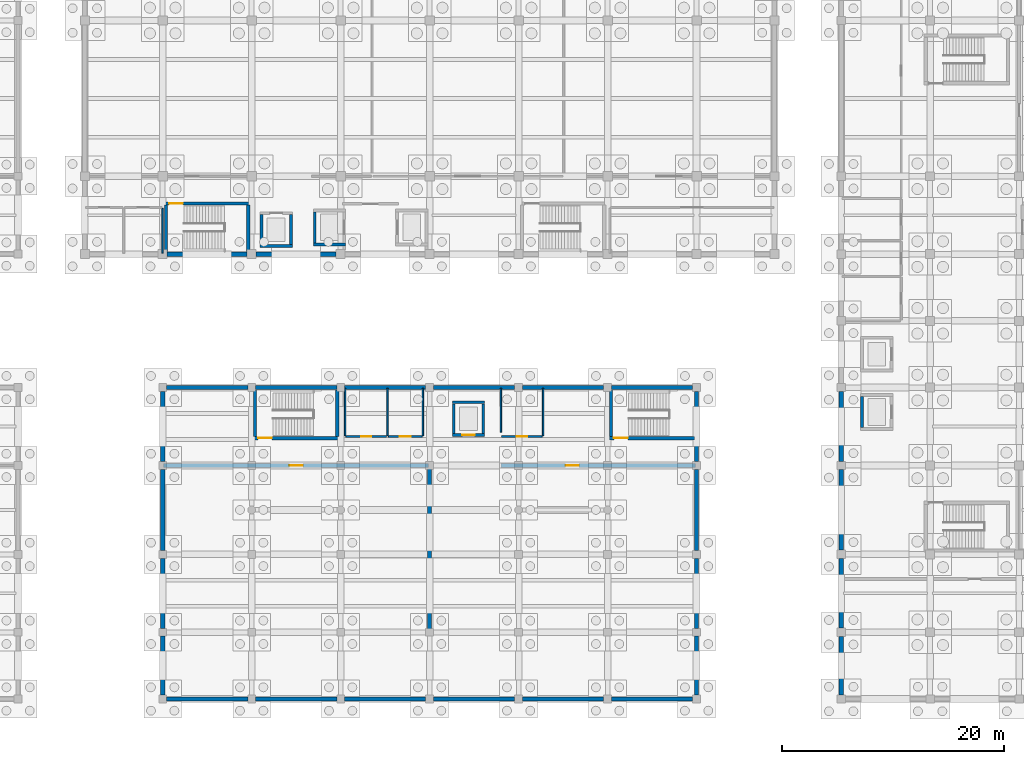
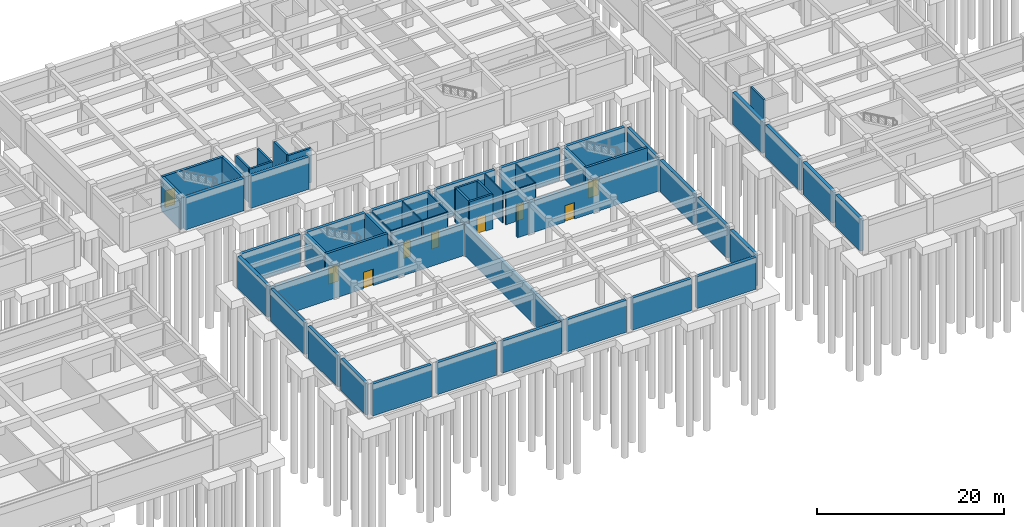
# One storey, part 17 of 28: 56 walls, 9 doors, 9 openings.
"""IFC4 building model written with IfcOpenShell, lengths in metres."""

from ifc_helpers import new_model, si_unit, direction, frame, frame_2d, origin, place, context, subcontext, project, spatial, rectangle, extrude, material, layer, layer_set, type_object, element, fill, save


model = new_model("IFC4")

# Units and contexts
model_context = context("Model", 3, precision=1e-05, world=origin(), true_north=direction((0.0, 1.0)))
body_context = subcontext(model_context, "Body", "Model", "MODEL_VIEW")
ifc_project = project(units=[si_unit("LENGTHUNIT", "METRE"), si_unit("AREAUNIT", "SQUARE_METRE"), si_unit("VOLUMEUNIT", "CUBIC_METRE"), si_unit("PLANEANGLEUNIT", "RADIAN"), si_unit("MASSUNIT", "GRAM", prefix="KILO")], contexts=[model_context])

# Site, building, storey
site_placement = place(None, origin())
site = spatial("IfcSite", under=ifc_project, at=site_placement, CompositionType="ELEMENT")
building_placement = place(site_placement, origin())
building = spatial("IfcBuilding", under=site, at=building_placement, Name="Naurynzar Civic Courthouse", CompositionType="ELEMENT")
storey_placement = place(building_placement, frame((0.0, 0.0, -4.5)))
storey = spatial("IfcBuildingStorey", under=building, at=storey_placement, Name="B01", CompositionType="ELEMENT", Elevation=-4.5)

# Wall, opening, door
ifc_material_1 = material(Name="Concrete C40/50", Category="concrete")
ifc_layer_1 = layer(ifc_material_1, 0.300048828125)
ifc_layer_set_1 = layer_set([ifc_layer_1], Name="WL-CORE-300")
wall_type_1 = type_object("IfcWallType", Name="WL-CORE-300", PredefinedType="SHEAR", material=ifc_layer_set_1)
wall_1_placement = place(storey_placement, frame((76.85009765625, 48.550048828125, 0.0), z_axis=(0.0, 0.0, 1.0), x_axis=(-1.0, 0.0, 0.0)))
wall_1 = element("IfcWall", 1, at=wall_1_placement, inside=storey, type_object=wall_type_1, Name="Stair ST-V2A enclosure wall north B01", PredefinedType="SHEAR", context=body_context, shape_type="SweptSolid", body=[
    extrude(rectangle(XDim=7.7001953125, YDim=0.300048828125, at=frame_2d((3.85009765625, 0.0))), origin(), (0.0, 0.0, 1.0), 4.199951171875),
])
opening_1_placement = place(wall_1_placement, frame((6.02490234375, 0.0, 0.0)))
opening_1 = element("IfcOpeningElement", 2, at=opening_1_placement, cuts=wall_1, Name="Opening SD-023", PredefinedType="OPENING", context=body_context, shape_type="SweptSolid", body=[
    extrude(rectangle(XDim=1.25, YDim=2.14990234375, at=frame_2d((0.625, 1.074951171875))), frame((0.0, 0.159912109375, 0.0), z_axis=(0.0, -1.0, 0.0), x_axis=(1.0, 0.0, 0.0)), (0.0, 0.0, 1.0), 0.320068359375),
])
ifc_material_2 = material(Name="Powder-Coated Galvanised Steel", Category="steel")
door_type_1 = type_object("IfcDoorType", Name="DR-STAIR-1250x2150", OperationType="NOTDEFINED", PredefinedType="DOOR", material=ifc_material_2)
door_1_placement = place(opening_1_placement, origin())
door_1 = element("IfcDoor", 3, at=door_1_placement, inside=storey, type_object=door_type_1, Name="Stair ST-V2A fire door B01", OperationType="SINGLE_SWING_LEFT", OverallHeight=2.14990234375, OverallWidth=1.25, PredefinedType="DOOR", context=body_context, shape_type="SweptSolid", body=[
    extrude(rectangle(XDim=1.25, YDim=2.14990234375, at=frame_2d((0.625, 1.074951171875))), frame((0.0, 0.02490234375, 0.0), z_axis=(0.0, -1.0, 0.0), x_axis=(1.0, 0.0, 0.0)), (0.0, 0.0, 1.0), 0.050048828125),
])
fill(opening_1, door_1)

# Walls
for number, where, z_axis, x_axis, name in (
    (4, (69.300048828125, 48.39501953125, 0.0), (0.0, 0.0, 1.0), (0.0, -1.0, 0.0), "Stair ST-V2A enclosure wall west B01"),
    (5, (76.699951171875, 44.205078125, 0.0), (0.0, 0.0, 1.0), (0.0, 1.0, 0.0), "Stair ST-V2A enclosure wall east B01"),
):
    element("IfcWall", number, at=place(storey_placement, frame(where, z_axis=z_axis, x_axis=x_axis)), inside=storey, type_object=wall_type_1, Name=name, PredefinedType="SHEAR", context=body_context, shape_type="SweptSolid", body=[
        extrude(rectangle(XDim=4.18994140625, YDim=0.300048828125, at=frame_2d((2.094970703125, 0.0))), origin(), (0.0, 0.0, 1.0), 4.199951171875),
    ])

# Wall, opening, door
wall_2_placement = place(storey_placement, frame((77.14990234375, 27.449951171875, 0.0), z_axis=(0.0, 0.0, 1.0), x_axis=(1.0, 0.0, 0.0)))
wall_2 = element("IfcWall", 6, at=wall_2_placement, inside=storey, type_object=wall_type_1, Name="Stair ST-V3A enclosure wall south B01", PredefinedType="SHEAR", context=body_context, shape_type="SweptSolid", body=[
    extrude(rectangle(XDim=7.7001953125, YDim=0.300048828125, at=frame_2d((3.85009765625, 0.0))), origin(), (0.0, 0.0, 1.0), 4.159912109375),
])
opening_2_placement = place(wall_2_placement, frame((0.425048828125, 0.0, 0.0)))
opening_2 = element("IfcOpeningElement", 7, at=opening_2_placement, cuts=wall_2, Name="Opening SD-045", PredefinedType="OPENING", context=body_context, shape_type="SweptSolid", body=[
    extrude(rectangle(XDim=1.25, YDim=2.14990234375, at=frame_2d((0.625, 1.074951171875))), frame((0.0, 0.159912109375, 0.0), z_axis=(0.0, -1.0, 0.0), x_axis=(1.0, 0.0, 0.0)), (0.0, 0.0, 1.0), 0.320068359375),
])
door_2_placement = place(opening_2_placement, origin())
door_2 = element("IfcDoor", 8, at=door_2_placement, inside=storey, type_object=door_type_1, Name="Stair ST-V3A fire door B01", OperationType="SINGLE_SWING_LEFT", OverallHeight=2.14990234375, OverallWidth=1.25, PredefinedType="DOOR", context=body_context, shape_type="SweptSolid", body=[
    extrude(rectangle(XDim=1.25, YDim=2.14990234375, at=frame_2d((0.625, 1.074951171875))), frame((0.0, 0.02490234375, 0.0), z_axis=(0.0, -1.0, 0.0), x_axis=(1.0, 0.0, 0.0)), (0.0, 0.0, 1.0), 0.050048828125),
])
fill(opening_2, door_2)

# Walls
for number, where, z_axis, x_axis, name in (
    (9, (77.300048828125, 31.794921875, 0.0), (0.0, 0.0, 1.0), (0.0, -1.0, 0.0), "Stair ST-V3A enclosure wall west B01"),
    (10, (84.699951171875, 27.60498046875, 0.0), (0.0, 0.0, 1.0), (0.0, 1.0, 0.0), "Stair ST-V3A enclosure wall east B01"),
):
    element("IfcWall", number, at=place(storey_placement, frame(where, z_axis=z_axis, x_axis=x_axis)), inside=storey, type_object=wall_type_1, Name=name, PredefinedType="SHEAR", context=body_context, shape_type="SweptSolid", body=[
        extrude(rectangle(XDim=4.18994140625, YDim=0.300048828125, at=frame_2d((2.094970703125, 0.0))), origin(), (0.0, 0.0, 1.0), 4.159912109375),
    ])

# Wall, opening, door
wall_3_placement = place(storey_placement, frame((109.14990234375, 27.449951171875, 0.0), z_axis=(0.0, 0.0, 1.0), x_axis=(1.0, 0.0, 0.0)))
wall_3 = element("IfcWall", 11, at=wall_3_placement, inside=storey, type_object=wall_type_1, Name="Stair ST-V3B enclosure wall south B01", PredefinedType="SHEAR", context=body_context, shape_type="SweptSolid", body=[
    extrude(rectangle(XDim=7.64501953125, YDim=0.300048828125, at=frame_2d((3.822509765625, 0.0))), origin(), (0.0, 0.0, 1.0), 4.159912109375),
])
opening_3_placement = place(wall_3_placement, frame((0.425048828125, 0.0, 0.0)))
opening_3 = element("IfcOpeningElement", 12, at=opening_3_placement, cuts=wall_3, Name="Opening SD-052", PredefinedType="OPENING", context=body_context, shape_type="SweptSolid", body=[
    extrude(rectangle(XDim=1.25, YDim=2.14990234375, at=frame_2d((0.625, 1.074951171875))), frame((0.0, 0.159912109375, 0.0), z_axis=(0.0, -1.0, 0.0), x_axis=(1.0, 0.0, 0.0)), (0.0, 0.0, 1.0), 0.320068359375),
])
door_3_placement = place(opening_3_placement, origin())
door_3 = element("IfcDoor", 13, at=door_3_placement, inside=storey, type_object=door_type_1, Name="Stair ST-V3B fire door B01", OperationType="SINGLE_SWING_RIGHT", OverallHeight=2.14990234375, OverallWidth=1.25, PredefinedType="DOOR", context=body_context, shape_type="SweptSolid", body=[
    extrude(rectangle(XDim=1.25, YDim=2.14990234375, at=frame_2d((0.625, 1.074951171875))), frame((0.0, 0.02490234375, 0.0), z_axis=(0.0, -1.0, 0.0), x_axis=(1.0, 0.0, 0.0)), (0.0, 0.0, 1.0), 0.050048828125),
])
fill(opening_3, door_3)

# Wall
wall_4_placement = place(storey_placement, frame((109.300048828125, 31.794921875, 0.0), z_axis=(0.0, 0.0, 1.0), x_axis=(0.0, -1.0, 0.0)))
element("IfcWall", 14, at=wall_4_placement, inside=storey, type_object=wall_type_1, Name="Stair ST-V3B enclosure wall west B01", PredefinedType="SHEAR", context=body_context, shape_type="SweptSolid", body=[
    extrude(rectangle(XDim=4.18994140625, YDim=0.300048828125, at=frame_2d((2.094970703125, 0.0))), origin(), (0.0, 0.0, 1.0), 4.159912109375),
])

# Wall, opening, door
ifc_material_3 = material(Name="Concrete C40/50", Category="concrete")
ifc_layer_2 = layer(ifc_material_3, 0.35009765625)
ifc_layer_set_2 = layer_set([ifc_layer_2], Name="WL-CORE-350")
wall_type_2 = type_object("IfcWallType", Name="WL-CORE-350", PredefinedType="SHEAR", material=ifc_layer_set_2)
wall_5_placement = place(storey_placement, frame((69.080078125, 25.0, 0.0), z_axis=(0.0, 0.0, 1.0), x_axis=(1.0, 0.0, 0.0)))
wall_5 = element("IfcWall", 15, at=wall_5_placement, inside=storey, type_object=wall_type_2, Name="V3 interior partition B01.9", PredefinedType="SHEAR", context=body_context, shape_type="SweptSolid", body=[
    extrude(rectangle(XDim=23.83984375, YDim=0.35009765625, at=frame_2d((11.919921875, 0.0))), origin(), (0.0, 0.0, 1.0), 4.139892578125),
])
opening_4_placement = place(wall_5_placement, frame((11.320068359375, 0.0, 0.0)))
opening_4 = element("IfcOpeningElement", 16, at=opening_4_placement, cuts=wall_5, Name="Opening D-222", PredefinedType="OPENING", context=body_context, shape_type="SweptSolid", body=[
    extrude(rectangle(XDim=1.199951171875, YDim=2.14990234375, at=frame_2d((0.60009765625, 1.074951171875))), frame((0.0, 0.18505859375, 0.0), z_axis=(0.0, -1.0, 0.0), x_axis=(1.0, 0.0, 0.0)), (0.0, 0.0, 1.0), 0.3701171875),
])
ifc_material_4 = material(Name="Powder-Coated Galvanised Steel", Category="steel")
door_type_2 = type_object("IfcDoorType", Name="DR-ARCH-1200x2150", OperationType="NOTDEFINED", PredefinedType="DOOR", material=ifc_material_4)
door_4_placement = place(opening_4_placement, origin())
door_4 = element("IfcDoor", 17, at=door_4_placement, inside=storey, type_object=door_type_2, Name="Interior door D-222 (Rare Legal Compendia Vault)", OperationType="SINGLE_SWING_RIGHT", OverallHeight=2.14990234375, OverallWidth=1.199951171875, PredefinedType="DOOR", context=body_context, shape_type="SweptSolid", body=[
    extrude(rectangle(XDim=1.199951171875, YDim=2.14990234375, at=frame_2d((0.60009765625, 1.074951171875))), frame((0.0, 0.02490234375, 0.0), z_axis=(0.0, -1.0, 0.0), x_axis=(1.0, 0.0, 0.0)), (0.0, 0.0, 1.0), 0.050048828125),
])
fill(opening_4, door_4)

wall_6_placement = place(storey_placement, frame((99.39990234375, 25.0, 0.0), z_axis=(0.0, 0.0, 1.0), x_axis=(1.0, 0.0, 0.0)))
wall_6 = element("IfcWall", 18, at=wall_6_placement, inside=storey, type_object=wall_type_2, Name="V3 interior partition B01.10", PredefinedType="SHEAR", context=body_context, shape_type="SweptSolid", body=[
    extrude(rectangle(XDim=17.52001953125, YDim=0.35009765625, at=frame_2d((8.760009765625, 0.0))), origin(), (0.0, 0.0, 1.0), 4.139892578125),
])
opening_5_placement = place(wall_6_placement, frame((5.81689453125, 0.0, 0.0)))
opening_5 = element("IfcOpeningElement", 19, at=opening_5_placement, cuts=wall_6, Name="Opening D-223", PredefinedType="OPENING", context=body_context, shape_type="SweptSolid", body=[
    extrude(rectangle(XDim=1.199951171875, YDim=2.14990234375, at=frame_2d((0.60009765625, 1.074951171875))), frame((0.0, 0.18505859375, 0.0), z_axis=(0.0, -1.0, 0.0), x_axis=(1.0, 0.0, 0.0)), (0.0, 0.0, 1.0), 0.3701171875),
])
door_5_placement = place(opening_5_placement, origin())
door_5 = element("IfcDoor", 20, at=door_5_placement, inside=storey, type_object=door_type_2, Name="Interior door D-223 (Law Library Book Stacks Compact Archive)", OperationType="SINGLE_SWING_LEFT", OverallHeight=2.14990234375, OverallWidth=1.199951171875, PredefinedType="DOOR", context=body_context, shape_type="SweptSolid", body=[
    extrude(rectangle(XDim=1.199951171875, YDim=2.14990234375, at=frame_2d((0.60009765625, 1.074951171875))), frame((0.0, 0.02490234375, 0.0), z_axis=(0.0, -1.0, 0.0), x_axis=(1.0, 0.0, 0.0)), (0.0, 0.0, 1.0), 0.050048828125),
])
fill(opening_5, door_5)

# Wall
wall_7_placement = place(storey_placement, frame((93.0, 4.080078125, 0.0), z_axis=(0.0, 0.0, 1.0), x_axis=(0.0, 1.0, 0.0)))
element("IfcWall", 21, at=wall_7_placement, inside=storey, type_object=wall_type_2, Name="V3 interior partition B01.56", PredefinedType="SHEAR", context=body_context, shape_type="SweptSolid", body=[
    extrude(rectangle(XDim=20.83984375, YDim=0.35009765625, at=frame_2d((10.419921875, 0.0))), origin(), (0.0, 0.0, 1.0), 4.139892578125),
])

# Wall, opening, door
ifc_material_5 = material(Name="Moisture-Resistant Plumbing Partition")
ifc_layer_3 = layer(ifc_material_5, 0.139892578125)
ifc_layer_set_3 = layer_set([ifc_layer_3], Name="WL-PART-WC-140")
wall_type_3 = type_object("IfcWallType", Name="WL-PART-WC-140", PredefinedType="PLUMBINGWALL", material=ifc_layer_set_3)
wall_8_placement = place(storey_placement, frame((85.47998046875, 27.60009765625, 0.0), z_axis=(0.0, 0.0, 1.0), x_axis=(1.0, 0.0, 0.0)))
wall_8 = element("IfcWall", 22, at=wall_8_placement, inside=storey, type_object=wall_type_3, Name="V3 interior partition B01.14", PredefinedType="PLUMBINGWALL", context=body_context, shape_type="SweptSolid", body=[
    extrude(rectangle(XDim=3.64013671875, YDim=0.139892578125, at=frame_2d((1.820068359375, 0.0))), origin(), (0.0, 0.0, 1.0), 4.139892578125),
])
opening_6_placement = place(wall_8_placement, frame((1.360107421875, 0.0, 0.0)))
opening_6 = element("IfcOpeningElement", 23, at=opening_6_placement, cuts=wall_8, Name="Opening D-219", PredefinedType="OPENING", context=body_context, shape_type="SweptSolid", body=[
    extrude(rectangle(XDim=0.919921875, YDim=2.10009765625, at=frame_2d((0.4599609375, 1.050048828125))), frame((0.0, 0.079833984375, 0.0), z_axis=(0.0, -1.0, 0.0), x_axis=(1.0, 0.0, 0.0)), (0.0, 0.0, 1.0), 0.159912109375),
])
ifc_material_6 = material(Name="Acoustic Oak Timber Grade A", Category="wood")
door_type_3 = type_object("IfcDoorType", Name="DR-WC-STD-920x2100", OperationType="NOTDEFINED", PredefinedType="DOOR", material=ifc_material_6)
door_6_placement = place(opening_6_placement, origin())
door_6 = element("IfcDoor", 24, at=door_6_placement, inside=storey, type_object=door_type_3, Name="Interior door D-219 (Public WC V3)", OperationType="SINGLE_SWING_LEFT", OverallHeight=2.10009765625, OverallWidth=0.919921875, PredefinedType="DOOR", context=body_context, shape_type="SweptSolid", body=[
    extrude(rectangle(XDim=0.919921875, YDim=2.10009765625, at=frame_2d((0.4599609375, 1.050048828125))), frame((0.0, 0.02490234375, 0.0), z_axis=(0.0, -1.0, 0.0), x_axis=(1.0, 0.0, 0.0)), (0.0, 0.0, 1.0), 0.050048828125),
])
fill(opening_6, door_6)

wall_9_placement = place(storey_placement, frame((89.280029296875, 27.60009765625, 0.0), z_axis=(0.0, 0.0, 1.0), x_axis=(1.0, 0.0, 0.0)))
wall_9 = element("IfcWall", 25, at=wall_9_placement, inside=storey, type_object=wall_type_3, Name="V3 interior partition B01.15", PredefinedType="PLUMBINGWALL", context=body_context, shape_type="SweptSolid", body=[
    extrude(rectangle(XDim=3.0400390625, YDim=0.139892578125, at=frame_2d((1.52001953125, 0.0))), origin(), (0.0, 0.0, 1.0), 4.139892578125),
])
opening_7_placement = place(wall_9_placement, frame((1.0400390625, 0.0, 0.0)))
opening_7 = element("IfcOpeningElement", 26, at=opening_7_placement, cuts=wall_9, Name="Opening D-220", PredefinedType="OPENING", context=body_context, shape_type="SweptSolid", body=[
    extrude(rectangle(XDim=0.9599609375, YDim=2.10009765625, at=frame_2d((0.47998046875, 1.050048828125))), frame((0.0, 0.079833984375, 0.0), z_axis=(0.0, -1.0, 0.0), x_axis=(1.0, 0.0, 0.0)), (0.0, 0.0, 1.0), 0.159912109375),
])
ifc_material_7 = material(Name="Acoustic Oak Timber Grade A", Category="wood")
door_type_4 = type_object("IfcDoorType", Name="DR-WC-ACC-960x2100", OperationType="NOTDEFINED", PredefinedType="DOOR", material=ifc_material_7)
door_7_placement = place(opening_7_placement, origin())
door_7 = element("IfcDoor", 27, at=door_7_placement, inside=storey, type_object=door_type_4, Name="Interior door D-220 (Accessible WC V3)", OperationType="SINGLE_SWING_RIGHT", OverallHeight=2.10009765625, OverallWidth=0.9599609375, PredefinedType="DOOR", context=body_context, shape_type="SweptSolid", body=[
    extrude(rectangle(XDim=0.9599609375, YDim=2.10009765625, at=frame_2d((0.47998046875, 1.050048828125))), frame((0.0, 0.02490234375, 0.0), z_axis=(0.0, -1.0, 0.0), x_axis=(1.0, 0.0, 0.0)), (0.0, 0.0, 1.0), 0.050048828125),
])
fill(opening_7, door_7)

wall_10_placement = place(storey_placement, frame((99.47998046875, 27.60009765625, 0.0), z_axis=(0.0, 0.0, 1.0), x_axis=(1.0, 0.0, 0.0)))
wall_10 = element("IfcWall", 28, at=wall_10_placement, inside=storey, type_object=wall_type_3, Name="V3 interior partition B01.16", PredefinedType="PLUMBINGWALL", context=body_context, shape_type="SweptSolid", body=[
    extrude(rectangle(XDim=3.64013671875, YDim=0.139892578125, at=frame_2d((1.820068359375, 0.0))), origin(), (0.0, 0.0, 1.0), 4.139892578125),
])
opening_8_placement = place(wall_10_placement, frame((1.360107421875, 0.0, 0.0)))
opening_8 = element("IfcOpeningElement", 29, at=opening_8_placement, cuts=wall_10, Name="Opening D-221", PredefinedType="OPENING", context=body_context, shape_type="SweptSolid", body=[
    extrude(rectangle(XDim=0.919921875, YDim=2.10009765625, at=frame_2d((0.4599609375, 1.050048828125))), frame((0.0, 0.079833984375, 0.0), z_axis=(0.0, -1.0, 0.0), x_axis=(1.0, 0.0, 0.0)), (0.0, 0.0, 1.0), 0.159912109375),
])
door_8_placement = place(opening_8_placement, origin())
door_8 = element("IfcDoor", 30, at=door_8_placement, inside=storey, type_object=door_type_3, Name="Interior door D-221 (Staff WC V3)", OperationType="SINGLE_SWING_LEFT", OverallHeight=2.10009765625, OverallWidth=0.919921875, PredefinedType="DOOR", context=body_context, shape_type="SweptSolid", body=[
    extrude(rectangle(XDim=0.919921875, YDim=2.10009765625, at=frame_2d((0.4599609375, 1.050048828125))), frame((0.0, 0.02490234375, 0.0), z_axis=(0.0, -1.0, 0.0), x_axis=(1.0, 0.0, 0.0)), (0.0, 0.0, 1.0), 0.050048828125),
])
fill(opening_8, door_8)

# Walls
wall_11_placement = place(storey_placement, frame((69.0, 44.080078125, 0.0), z_axis=(0.0, 0.0, 1.0), x_axis=(0.0, 1.0, 0.0)))
element("IfcWall", 31, at=wall_11_placement, inside=storey, type_object=wall_type_3, Name="V2 interior partition B01.51", PredefinedType="PLUMBINGWALL", context=body_context, shape_type="SweptSolid", body=[
    extrude(rectangle(XDim=4.0400390625, YDim=0.139892578125, at=frame_2d((2.02001953125, 0.0))), origin(), (0.0, 0.0, 1.0), 3.5),
])
for number, where, z_axis, x_axis, name in (
    (32, (85.39990234375, 27.679931640625, 0.0), (0.0, 0.0, 1.0), (0.0, 1.0, 0.0), "V3 interior partition B01.52"),
    (33, (89.199951171875, 27.679931640625, 0.0), (0.0, 0.0, 1.0), (0.0, 1.0, 0.0), "V3 interior partition B01.54"),
    (34, (92.39990234375, 27.679931640625, 0.0), (0.0, 0.0, 1.0), (0.0, 1.0, 0.0), "V3 interior partition B01.55"),
):
    element("IfcWall", number, at=place(storey_placement, frame(where, z_axis=z_axis, x_axis=x_axis)), inside=storey, type_object=wall_type_3, Name=name, PredefinedType="PLUMBINGWALL", context=body_context, shape_type="SweptSolid", body=[
        extrude(rectangle(XDim=4.239990234375, YDim=0.139892578125, at=frame_2d((2.1201171875, 0.0))), origin(), (0.0, 0.0, 1.0), 4.139892578125),
    ])
wall_12_placement = place(storey_placement, frame((99.39990234375, 28.0, 0.0), z_axis=(0.0, 0.0, 1.0), x_axis=(0.0, 1.0, 0.0)))
element("IfcWall", 35, at=wall_12_placement, inside=storey, type_object=wall_type_3, Name="V3 interior partition B01.57", PredefinedType="PLUMBINGWALL", context=body_context, shape_type="SweptSolid", body=[
    extrude(rectangle(XDim=3.919921875, YDim=0.139892578125, at=frame_2d((1.9599609375, 0.0))), origin(), (0.0, 0.0, 1.0), 4.139892578125),
])
wall_13_placement = place(storey_placement, frame((103.199951171875, 27.679931640625, 0.0), z_axis=(0.0, 0.0, 1.0), x_axis=(0.0, 1.0, 0.0)))
element("IfcWall", 36, at=wall_13_placement, inside=storey, type_object=wall_type_3, Name="V3 interior partition B01.58", PredefinedType="PLUMBINGWALL", context=body_context, shape_type="SweptSolid", body=[
    extrude(rectangle(XDim=4.239990234375, YDim=0.139892578125, at=frame_2d((2.1201171875, 0.0))), origin(), (0.0, 0.0, 1.0), 4.139892578125),
])
ifc_material_8 = material(Name="Concrete C40/50", Category="concrete")
ifc_layer_4 = layer(ifc_material_8, 0.3798828125)
ifc_layer_set_4 = layer_set([ifc_layer_4], Name="WL-RET-380")
wall_type_4 = type_object("IfcWallType", Name="WL-RET-380", PredefinedType="STANDARD", material=ifc_layer_set_4)
wall_14_placement = place(storey_placement, frame((69.0, 4.35009765625, 0.0), z_axis=(0.0, 0.0, 1.0), x_axis=(0.0, 1.0, 0.0)))
element("IfcWall", 37, at=wall_14_placement, inside=storey, type_object=wall_type_4, Name="V3 basement retaining wall west 1", PredefinedType="STANDARD", context=body_context, shape_type="SweptSolid", body=[
    extrude(rectangle(XDim=5.2998046875, YDim=0.3798828125, at=frame_2d((2.64990234375, 0.0))), origin(), (0.0, 0.0, 1.0), 4.159912109375),
])
wall_15_placement = place(storey_placement, frame((69.0, 10.35009765625, 0.0), z_axis=(0.0, 0.0, 1.0), x_axis=(0.0, 1.0, 0.0)))
element("IfcWall", 38, at=wall_15_placement, inside=storey, type_object=wall_type_4, Name="V3 basement retaining wall west 2", PredefinedType="STANDARD", context=body_context, shape_type="SweptSolid", body=[
    extrude(rectangle(XDim=6.2998046875, YDim=0.3798828125, at=frame_2d((3.14990234375, 0.0))), origin(), (0.0, 0.0, 1.0), 4.159912109375),
])
wall_16_placement = place(storey_placement, frame((69.0, 17.35009765625, 0.0), z_axis=(0.0, 0.0, 1.0), x_axis=(0.0, 1.0, 0.0)))
element("IfcWall", 39, at=wall_16_placement, inside=storey, type_object=wall_type_4, Name="V3 basement retaining wall west 3", PredefinedType="STANDARD", context=body_context, shape_type="SweptSolid", body=[
    extrude(rectangle(XDim=7.2998046875, YDim=0.3798828125, at=frame_2d((3.64990234375, 0.0))), origin(), (0.0, 0.0, 1.0), 4.159912109375),
])
wall_17_placement = place(storey_placement, frame((69.0, 25.35009765625, 0.0), z_axis=(0.0, 0.0, 1.0), x_axis=(0.0, 1.0, 0.0)))
element("IfcWall", 40, at=wall_17_placement, inside=storey, type_object=wall_type_4, Name="V3 basement retaining wall west 4", PredefinedType="STANDARD", context=body_context, shape_type="SweptSolid", body=[
    extrude(rectangle(XDim=6.2998046875, YDim=0.3798828125, at=frame_2d((3.14990234375, 0.0))), origin(), (0.0, 0.0, 1.0), 4.159912109375),
])
for number, where, z_axis, x_axis, name in (
    (41, (69.35009765625, 32.0, 0.0), (0.0, 0.0, 1.0), (1.0, 0.0, 0.0), "V3 basement retaining wall north 1"),
    (42, (77.35009765625, 32.0, 0.0), (0.0, 0.0, 1.0), (1.0, 0.0, 0.0), "V3 basement retaining wall north 2"),
    (43, (85.35009765625, 32.0, 0.0), (0.0, 0.0, 1.0), (1.0, 0.0, 0.0), "V3 basement retaining wall north 3"),
    (44, (93.35009765625, 32.0, 0.0), (0.0, 0.0, 1.0), (1.0, 0.0, 0.0), "V3 basement retaining wall north 4"),
    (45, (101.35009765625, 32.0, 0.0), (0.0, 0.0, 1.0), (1.0, 0.0, 0.0), "V3 basement retaining wall north 5"),
    (46, (109.35009765625, 32.0, 0.0), (0.0, 0.0, 1.0), (1.0, 0.0, 0.0), "V3 basement retaining wall north 6"),
):
    element("IfcWall", number, at=place(storey_placement, frame(where, z_axis=z_axis, x_axis=x_axis)), inside=storey, type_object=wall_type_4, Name=name, PredefinedType="STANDARD", context=body_context, shape_type="SweptSolid", body=[
        extrude(rectangle(XDim=7.2998046875, YDim=0.3798828125, at=frame_2d((3.64990234375, 0.0))), origin(), (0.0, 0.0, 1.0), 4.159912109375),
    ])
wall_18_placement = place(storey_placement, frame((117.0, 31.64990234375, 0.0), z_axis=(0.0, 0.0, 1.0), x_axis=(0.0, -1.0, 0.0)))
element("IfcWall", 47, at=wall_18_placement, inside=storey, type_object=wall_type_4, Name="V3 basement retaining wall east 1", PredefinedType="STANDARD", context=body_context, shape_type="SweptSolid", body=[
    extrude(rectangle(XDim=6.2998046875, YDim=0.3798828125, at=frame_2d((3.14990234375, 0.0))), origin(), (0.0, 0.0, 1.0), 4.159912109375),
])
wall_19_placement = place(storey_placement, frame((117.0, 24.64990234375, 0.0), z_axis=(0.0, 0.0, 1.0), x_axis=(0.0, -1.0, 0.0)))
element("IfcWall", 48, at=wall_19_placement, inside=storey, type_object=wall_type_4, Name="V3 basement retaining wall east 2", PredefinedType="STANDARD", context=body_context, shape_type="SweptSolid", body=[
    extrude(rectangle(XDim=7.2998046875, YDim=0.3798828125, at=frame_2d((3.64990234375, 0.0))), origin(), (0.0, 0.0, 1.0), 4.159912109375),
])
wall_20_placement = place(storey_placement, frame((117.0, 16.64990234375, 0.0), z_axis=(0.0, 0.0, 1.0), x_axis=(0.0, -1.0, 0.0)))
element("IfcWall", 49, at=wall_20_placement, inside=storey, type_object=wall_type_4, Name="V3 basement retaining wall east 3", PredefinedType="STANDARD", context=body_context, shape_type="SweptSolid", body=[
    extrude(rectangle(XDim=6.2998046875, YDim=0.3798828125, at=frame_2d((3.14990234375, 0.0))), origin(), (0.0, 0.0, 1.0), 4.159912109375),
])
wall_21_placement = place(storey_placement, frame((117.0, 9.64990234375, 0.0), z_axis=(0.0, 0.0, 1.0), x_axis=(0.0, -1.0, 0.0)))
element("IfcWall", 50, at=wall_21_placement, inside=storey, type_object=wall_type_4, Name="V3 basement retaining wall east 4", PredefinedType="STANDARD", context=body_context, shape_type="SweptSolid", body=[
    extrude(rectangle(XDim=5.2998046875, YDim=0.3798828125, at=frame_2d((2.64990234375, 0.0))), origin(), (0.0, 0.0, 1.0), 4.159912109375),
])
for number, where, z_axis, x_axis, name in (
    (51, (116.64990234375, 4.0, 0.0), (0.0, 0.0, 1.0), (-1.0, 0.0, 0.0), "V3 basement retaining wall south 1"),
    (52, (108.64990234375, 4.0, 0.0), (0.0, 0.0, 1.0), (-1.0, 0.0, 0.0), "V3 basement retaining wall south 2"),
    (53, (100.64990234375, 4.0, 0.0), (0.0, 0.0, 1.0), (-1.0, 0.0, 0.0), "V3 basement retaining wall south 3"),
    (54, (92.64990234375, 4.0, 0.0), (0.0, 0.0, 1.0), (-1.0, 0.0, 0.0), "V3 basement retaining wall south 4"),
    (55, (84.64990234375, 4.0, 0.0), (0.0, 0.0, 1.0), (-1.0, 0.0, 0.0), "V3 basement retaining wall south 5"),
    (56, (76.64990234375, 4.0, 0.0), (0.0, 0.0, 1.0), (-1.0, 0.0, 0.0), "V3 basement retaining wall south 6"),
):
    element("IfcWall", number, at=place(storey_placement, frame(where, z_axis=z_axis, x_axis=x_axis)), inside=storey, type_object=wall_type_4, Name=name, PredefinedType="STANDARD", context=body_context, shape_type="SweptSolid", body=[
        extrude(rectangle(XDim=7.2998046875, YDim=0.3798828125, at=frame_2d((3.64990234375, 0.0))), origin(), (0.0, 0.0, 1.0), 4.159912109375),
    ])
ifc_material_9 = material(Name="Concrete C40/50", Category="concrete")
ifc_layer_5 = layer(ifc_material_9, 0.39990234375)
ifc_layer_set_5 = layer_set([ifc_layer_5], Name="WL-RET-400")
wall_type_5 = type_object("IfcWallType", Name="WL-RET-400", PredefinedType="STANDARD", material=ifc_layer_set_5)
for number, where, z_axis, x_axis, name in (
    (57, (84.60009765625, 44.0, 0.0), (0.0, 0.0, 1.0), (-1.0, 0.0, 0.0), "V2 basement retaining wall south 6"),
    (58, (76.60009765625, 44.0, 0.0), (0.0, 0.0, 1.0), (-1.0, 0.0, 0.0), "V2 basement retaining wall south 7"),
):
    element("IfcWall", number, at=place(storey_placement, frame(where, z_axis=z_axis, x_axis=x_axis)), inside=storey, type_object=wall_type_5, Name=name, PredefinedType="STANDARD", context=body_context, shape_type="SweptSolid", body=[
        extrude(rectangle(XDim=7.2001953125, YDim=0.39990234375, at=frame_2d((3.60009765625, 0.0))), origin(), (0.0, 0.0, 1.0), 4.199951171875),
    ])
wall_22_placement = place(storey_placement, frame((130.0, 4.375, 0.0), z_axis=(0.0, 0.0, 1.0), x_axis=(0.0, 1.0, 0.0)))
element("IfcWall", 59, at=wall_22_placement, inside=storey, type_object=wall_type_5, Name="V5 basement retaining wall west 1", PredefinedType="STANDARD", context=body_context, shape_type="SweptSolid", body=[
    extrude(rectangle(XDim=5.25, YDim=0.39990234375, at=frame_2d((2.625, 0.0))), origin(), (0.0, 0.0, 1.0), 4.199951171875),
])
wall_23_placement = place(storey_placement, frame((130.0, 10.375, 0.0), z_axis=(0.0, 0.0, 1.0), x_axis=(0.0, 1.0, 0.0)))
element("IfcWall", 60, at=wall_23_placement, inside=storey, type_object=wall_type_5, Name="V5 basement retaining wall west 2", PredefinedType="STANDARD", context=body_context, shape_type="SweptSolid", body=[
    extrude(rectangle(XDim=6.25, YDim=0.39990234375, at=frame_2d((3.125, 0.0))), origin(), (0.0, 0.0, 1.0), 4.199951171875),
])
wall_24_placement = place(storey_placement, frame((130.0, 17.375, 0.0), z_axis=(0.0, 0.0, 1.0), x_axis=(0.0, 1.0, 0.0)))
element("IfcWall", 61, at=wall_24_placement, inside=storey, type_object=wall_type_5, Name="V5 basement retaining wall west 3", PredefinedType="STANDARD", context=body_context, shape_type="SweptSolid", body=[
    extrude(rectangle(XDim=7.25, YDim=0.39990234375, at=frame_2d((3.625, 0.0))), origin(), (0.0, 0.0, 1.0), 4.199951171875),
])
wall_25_placement = place(storey_placement, frame((130.0, 25.375, 0.0), z_axis=(0.0, 0.0, 1.0), x_axis=(0.0, 1.0, 0.0)))
element("IfcWall", 62, at=wall_25_placement, inside=storey, type_object=wall_type_5, Name="V5 basement retaining wall west 4", PredefinedType="STANDARD", context=body_context, shape_type="SweptSolid", body=[
    extrude(rectangle(XDim=6.25, YDim=0.39990234375, at=frame_2d((3.125, 0.0))), origin(), (0.0, 0.0, 1.0), 4.199951171875),
])
ifc_material_10 = material(Name="Concrete C40/50", Category="concrete")
ifc_layer_6 = layer(ifc_material_10, 0.25)
ifc_layer_set_6 = layer_set([ifc_layer_6], Name="WL-SHAFT-250")
wall_type_6 = type_object("IfcWallType", Name="WL-SHAFT-250", PredefinedType="SHEAR", material=ifc_layer_set_6)
wall_26_placement = place(storey_placement, frame((77.75, 44.72509765625, 0.0), z_axis=(0.0, 0.0, 1.0), x_axis=(1.0, 0.0, 0.0)))
element("IfcWall", 63, at=wall_26_placement, inside=storey, type_object=wall_type_6, Name="Lift LP-03 shaft wall south B01", PredefinedType="SHEAR", context=body_context, shape_type="SweptSolid", body=[
    extrude(rectangle(XDim=2.89990234375, YDim=0.25, at=frame_2d((1.449951171875, 0.0))), origin(), (0.0, 0.0, 1.0), 4.5),
])
for number, where, z_axis, x_axis, name in (
    (64, (77.875, 47.544921875, 0.0), (0.0, 0.0, 1.0), (0.0, -1.0, 0.0), "Lift LP-03 shaft wall west B01"),
    (65, (80.52490234375, 44.85498046875, 0.0), (0.0, 0.0, 1.0), (0.0, 1.0, 0.0), "Lift LP-03 shaft wall east B01"),
):
    element("IfcWall", number, at=place(storey_placement, frame(where, z_axis=z_axis, x_axis=x_axis)), inside=storey, type_object=wall_type_6, Name=name, PredefinedType="SHEAR", context=body_context, shape_type="SweptSolid", body=[
        extrude(rectangle(XDim=2.68994140625, YDim=0.25, at=frame_2d((1.344970703125, 0.0))), origin(), (0.0, 0.0, 1.0), 4.5),
    ])
wall_27_placement = place(storey_placement, frame((82.550048828125, 44.875, 0.0), z_axis=(0.0, 0.0, 1.0), x_axis=(1.0, 0.0, 0.0)))
element("IfcWall", 66, at=wall_27_placement, inside=storey, type_object=wall_type_6, Name="Lift FL-02 shaft wall south B01", PredefinedType="SHEAR", context=body_context, shape_type="SweptSolid", body=[
    extrude(rectangle(XDim=2.89990234375, YDim=0.25, at=frame_2d((1.449951171875, 0.0))), origin(), (0.0, 0.0, 1.0), 4.5),
])
wall_28_placement = place(storey_placement, frame((82.675048828125, 47.794921875, 0.0), z_axis=(0.0, 0.0, 1.0), x_axis=(0.0, -1.0, 0.0)))
element("IfcWall", 67, at=wall_28_placement, inside=storey, type_object=wall_type_6, Name="Lift FL-02 shaft wall west B01", PredefinedType="SHEAR", context=body_context, shape_type="SweptSolid", body=[
    extrude(rectangle(XDim=2.7900390625, YDim=0.25, at=frame_2d((1.39501953125, 0.0))), origin(), (0.0, 0.0, 1.0), 4.5),
])

# Wall, opening, door
wall_29_placement = place(storey_placement, frame((95.050048828125, 27.72509765625, 0.0), z_axis=(0.0, 0.0, 1.0), x_axis=(1.0, 0.0, 0.0)))
wall_29 = element("IfcWall", 68, at=wall_29_placement, inside=storey, type_object=wall_type_6, Name="Lift LP-04 shaft wall south B01", PredefinedType="SHEAR", context=body_context, shape_type="SweptSolid", body=[
    extrude(rectangle(XDim=2.89990234375, YDim=0.25, at=frame_2d((1.449951171875, 0.0))), origin(), (0.0, 0.0, 1.0), 4.5),
])
opening_9_placement = place(wall_29_placement, frame((0.89990234375, 0.0, 0.0)))
opening_9 = element("IfcOpeningElement", 69, at=opening_9_placement, cuts=wall_29, Name="Opening LD-061", PredefinedType="OPENING", context=body_context, shape_type="SweptSolid", body=[
    extrude(rectangle(XDim=1.10009765625, YDim=2.14990234375, at=frame_2d((0.550048828125, 1.074951171875))), frame((0.0, 0.135009765625, 0.0), z_axis=(0.0, -1.0, 0.0), x_axis=(1.0, 0.0, 0.0)), (0.0, 0.0, 1.0), 0.27001953125),
])
ifc_material_11 = material(Name="Brushed Stainless Steel 304", Category="steel")
door_type_5 = type_object("IfcDoorType", Name="DR-LIFT-SLIDE-1100x2150", OperationType="DOUBLE_DOOR_SLIDING", PredefinedType="DOOR", material=ifc_material_11)
door_9_placement = place(opening_9_placement, origin())
door_9 = element("IfcDoor", 70, at=door_9_placement, inside=storey, type_object=door_type_5, Name="Lift LP-04 sliding landing door B01", OperationType="DOUBLE_DOOR_SLIDING", OverallHeight=2.14990234375, OverallWidth=1.10009765625, PredefinedType="DOOR", context=body_context, shape_type="SweptSolid", body=[
    extrude(rectangle(XDim=1.10009765625, YDim=2.14990234375, at=frame_2d((0.550048828125, 1.074951171875))), frame((0.0, 0.02490234375, 0.0), z_axis=(0.0, -1.0, 0.0), x_axis=(1.0, 0.0, 0.0)), (0.0, 0.0, 1.0), 0.050048828125),
])
fill(opening_9, door_9)

# Walls
wall_30_placement = place(storey_placement, frame((97.949951171875, 30.675048828125, 0.0), z_axis=(0.0, 0.0, 1.0), x_axis=(-1.0, 0.0, 0.0)))
element("IfcWall", 71, at=wall_30_placement, inside=storey, type_object=wall_type_6, Name="Lift LP-04 shaft wall north B01", PredefinedType="SHEAR", context=body_context, shape_type="SweptSolid", body=[
    extrude(rectangle(XDim=2.89990234375, YDim=0.25, at=frame_2d((1.449951171875, 0.0))), origin(), (0.0, 0.0, 1.0), 4.5),
])
for number, where, z_axis, x_axis, name in (
    (72, (95.175048828125, 30.544921875, 0.0), (0.0, 0.0, 1.0), (0.0, -1.0, 0.0), "Lift LP-04 shaft wall west B01"),
    (73, (97.824951171875, 27.85498046875, 0.0), (0.0, 0.0, 1.0), (0.0, 1.0, 0.0), "Lift LP-04 shaft wall east B01"),
):
    element("IfcWall", number, at=place(storey_placement, frame(where, z_axis=z_axis, x_axis=x_axis)), inside=storey, type_object=wall_type_6, Name=name, PredefinedType="SHEAR", context=body_context, shape_type="SweptSolid", body=[
        extrude(rectangle(XDim=2.68994140625, YDim=0.25, at=frame_2d((1.344970703125, 0.0))), origin(), (0.0, 0.0, 1.0), 4.5),
    ])
wall_31_placement = place(storey_placement, frame((131.875, 31.195068359375, 0.0), z_axis=(0.0, 0.0, 1.0), x_axis=(0.0, -1.0, 0.0)))
element("IfcWall", 74, at=wall_31_placement, inside=storey, type_object=wall_type_6, Name="Lift LP-06 shaft wall west B01", PredefinedType="SHEAR", context=body_context, shape_type="SweptSolid", body=[
    extrude(rectangle(XDim=2.7900390625, YDim=0.25, at=frame_2d((1.39501953125, 0.0))), origin(), (0.0, 0.0, 1.0), 4.5),
])

save(model, "model.ifc")
